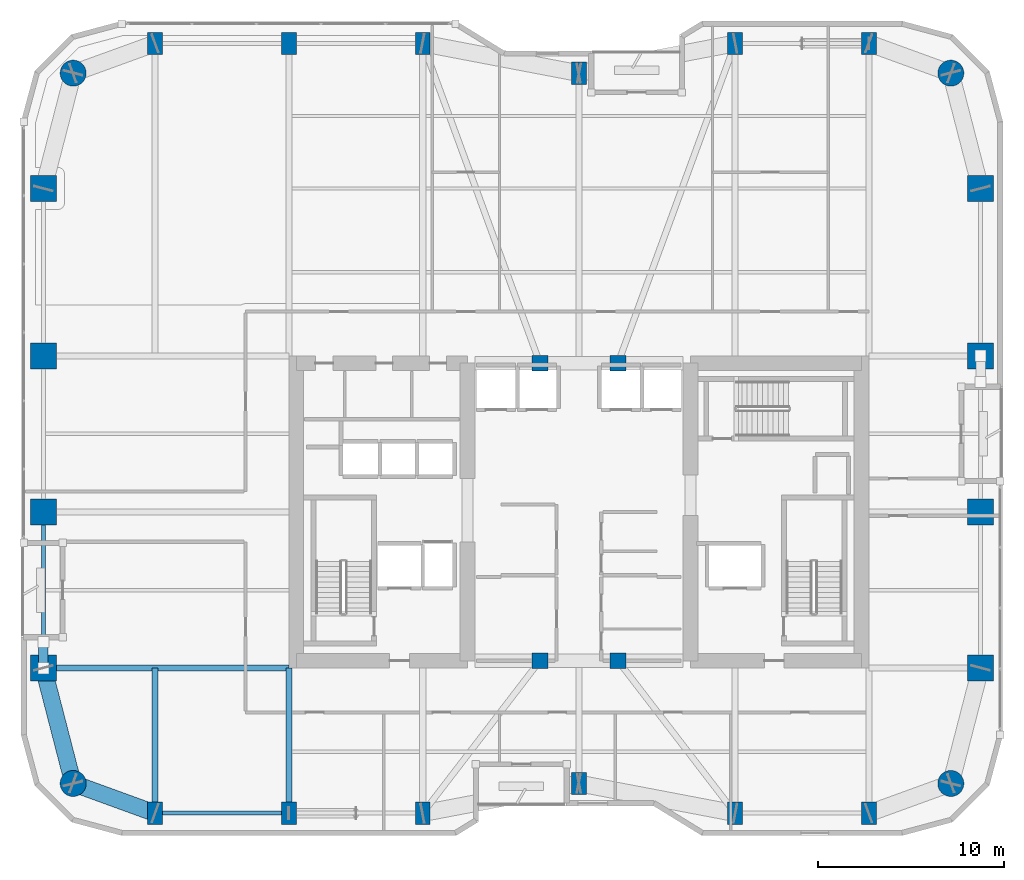
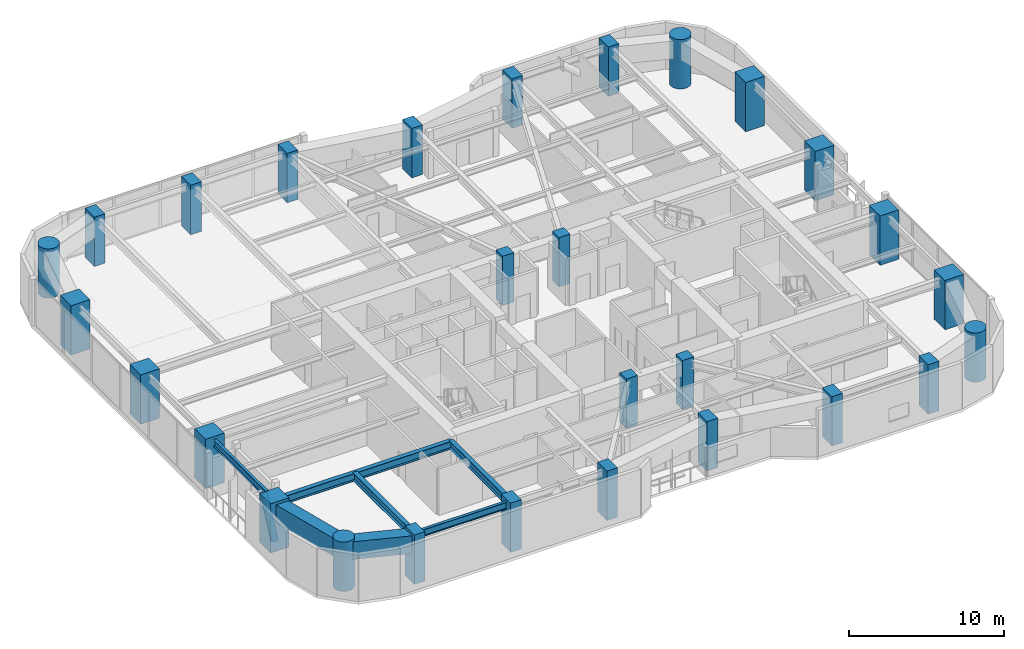
# One storey, part 1 of 30: 28 columns, 7 beams, 1 member.
"""IFC4 building model written with IfcOpenShell, lengths in metres."""

from ifc_helpers import new_model, si_unit, direction, frame, origin, origin_2d, place, context, subcontext, project, spatial, rectangle, hollow_rectangle, circle, hollow_circle, i_section, extrude, material, material_profile, profile_set, type_object, element, save


model = new_model("IFC4")

# Units and contexts
model_context = context("Model", 3, precision=1e-05, world=origin(), true_north=direction((0.0, 1.0)))
body_context = subcontext(model_context, "Body", "Model", "MODEL_VIEW")
ifc_project = project(units=[si_unit("LENGTHUNIT", "METRE"), si_unit("AREAUNIT", "SQUARE_METRE"), si_unit("VOLUMEUNIT", "CUBIC_METRE"), si_unit("PLANEANGLEUNIT", "RADIAN"), si_unit("MASSUNIT", "GRAM", prefix="KILO")], contexts=[model_context])

# Site, building, storey
site_placement = place(None, origin())
site = spatial("IfcSite", under=ifc_project, at=site_placement, CompositionType="ELEMENT")
building_placement = place(site_placement, origin())
building = spatial("IfcBuilding", under=site, at=building_placement, Name="Kiyonajd Concourse Tower", CompositionType="ELEMENT")
storey_placement = place(building_placement, frame((0.0, 0.0, 154.5)))
storey = spatial("IfcBuildingStorey", under=building, at=storey_placement, Name="L39", CompositionType="ELEMENT", Elevation=154.5)

# Columns
ifc_material_1 = material(Name="Concrete C70/85", Category="concrete")
ifc_material_profile_1 = material_profile(ifc_material_1, rectangle(XDim=0.800048828125, YDim=1.199951171875, at=origin_2d()), Name="RC-1200x800")
ifc_profile_set_1 = profile_set([ifc_material_profile_1], Name="Concrete C70/85")
column_type_1 = type_object("IfcColumnType", Name="CL-BLADE-1200", PredefinedType="COLUMN", material=ifc_profile_set_1)
for number, where, z_axis, x_axis, name in (
    (1, (25.199951171875, 19.800048828125, 0.0), (0.0, 0.0, 1.0), (1.0, 0.0, 0.0), "L39 Perimeter Bundled Tube Column"),
    (2, (25.199951171875, 61.199951171875, 0.0), (0.0, 0.0, 1.0), (1.0, 0.0, 0.0), "L39 Perimeter Bundled Tube Column"),
    (3, (32.39990234375, 19.800048828125, 0.0), (0.0, 0.0, 1.0), (1.0, 0.0, 0.0), "L39 Perimeter Bundled Tube Column"),
    (4, (32.39990234375, 61.199951171875, 0.0), (0.0, 0.0, 1.0), (1.0, 0.0, 0.0), "L39 Perimeter Bundled Tube Column"),
    (5, (39.60009765625, 19.800048828125, 0.0), (0.0, 0.0, 1.0), (1.0, 0.0, 0.0), "L39 Perimeter Bundled Tube Column"),
    (6, (39.60009765625, 61.199951171875, 0.0), (0.0, 0.0, 1.0), (1.0, 0.0, 0.0), "L39 Perimeter Bundled Tube Column"),
    (7, (48.0, 21.39990234375, 0.0), (0.0, 0.0, 1.0), (1.0, 0.0, 0.0), "L39 Perimeter Bundled Tube Column"),
    (8, (48.0, 59.60009765625, 0.0), (0.0, 0.0, 1.0), (1.0, 0.0, 0.0), "L39 Perimeter Bundled Tube Column"),
    (9, (56.39990234375, 19.800048828125, 0.0), (0.0, 0.0, 1.0), (1.0, 0.0, 0.0), "L39 Perimeter Bundled Tube Column"),
    (10, (56.39990234375, 61.199951171875, 0.0), (0.0, 0.0, 1.0), (1.0, 0.0, 0.0), "L39 Perimeter Bundled Tube Column"),
    (11, (63.60009765625, 19.800048828125, 0.0), (0.0, 0.0, 1.0), (1.0, 0.0, 0.0), "L39 Perimeter Bundled Tube Column"),
    (12, (63.60009765625, 61.199951171875, 0.0), (0.0, 0.0, 1.0), (1.0, 0.0, 0.0), "L39 Perimeter Bundled Tube Column"),
):
    element("IfcColumn", number, at=place(storey_placement, frame(where, z_axis=z_axis, x_axis=x_axis)), inside=storey, type_object=column_type_1, Name=name, PredefinedType="COLUMN", context=body_context, shape_type="SweptSolid", body=[
        extrude(rectangle(XDim=0.800048828125, YDim=1.199951171875, at=origin_2d()), origin(), (0.0, 0.0, 1.0), 3.89990234375),
    ])
ifc_material_2 = material(Name="Concrete C80/95", Category="concrete")
ifc_material_profile_2 = material_profile(ifc_material_2, circle(Radius=0.699951171875, at=origin_2d()), Name="RCC-D1400")
ifc_profile_set_2 = profile_set([ifc_material_profile_2], Name="Concrete C80/95")
column_type_2 = type_object("IfcColumnType", Name="CL-RND-1400", PredefinedType="COLUMN", material=ifc_profile_set_2)
for number, where, z_axis, x_axis, name in (
    (13, (20.800048828125, 21.39990234375, 0.0), (0.0, 0.0, 1.0), (1.0, 0.0, 0.0), "L39 Bundled Tube Corner Column South West"),
    (14, (68.0, 21.39990234375, 0.0), (0.0, 0.0, 1.0), (1.0, 0.0, 0.0), "L39 Bundled Tube Corner Column South East"),
    (15, (68.0, 59.60009765625, 0.0), (0.0, 0.0, 1.0), (1.0, 0.0, 0.0), "L39 Bundled Tube Corner Column North East"),
    (16, (20.800048828125, 59.60009765625, 0.0), (0.0, 0.0, 1.0), (1.0, 0.0, 0.0), "L39 Bundled Tube Corner Column North West"),
):
    element("IfcColumn", number, at=place(storey_placement, frame(where, z_axis=z_axis, x_axis=x_axis)), inside=storey, type_object=column_type_2, Name=name, PredefinedType="COLUMN", context=body_context, shape_type="SweptSolid", body=[
        extrude(circle(Radius=0.699951171875, at=origin_2d()), origin(), (0.0, 0.0, 1.0), 3.89990234375),
    ])
ifc_material_profile_3 = material_profile(ifc_material_1, rectangle(XDim=1.39990234375, YDim=1.39990234375, at=origin_2d()), Name="RC-1400x1400")
ifc_profile_set_3 = profile_set([ifc_material_profile_3], Name="Concrete C70/85")
column_type_3 = type_object("IfcColumnType", Name="CL-TUBE-1400", PredefinedType="COLUMN", material=ifc_profile_set_3)
for number, where, z_axis, x_axis, name in (
    (17, (19.199951171875, 27.60009765625, 0.0), (0.0, 0.0, 1.0), (1.0, 0.0, 0.0), "L39 Perimeter Bundled Tube Column"),
    (18, (69.60009765625, 27.60009765625, 0.0), (0.0, 0.0, 1.0), (1.0, 0.0, 0.0), "L39 Perimeter Bundled Tube Column"),
    (19, (19.199951171875, 36.0, 0.0), (0.0, 0.0, 1.0), (1.0, 0.0, 0.0), "L39 Perimeter Bundled Tube Column"),
    (20, (69.60009765625, 36.0, 0.0), (0.0, 0.0, 1.0), (1.0, 0.0, 0.0), "L39 Perimeter Bundled Tube Column"),
    (21, (19.199951171875, 44.39990234375, 0.0), (0.0, 0.0, 1.0), (1.0, 0.0, 0.0), "L39 Perimeter Bundled Tube Column"),
    (22, (69.60009765625, 44.39990234375, 0.0), (0.0, 0.0, 1.0), (1.0, 0.0, 0.0), "L39 Perimeter Bundled Tube Column"),
    (23, (19.199951171875, 53.39990234375, 0.0), (0.0, 0.0, 1.0), (1.0, 0.0, 0.0), "L39 Perimeter Bundled Tube Column"),
    (24, (69.60009765625, 53.39990234375, 0.0), (0.0, 0.0, 1.0), (1.0, 0.0, 0.0), "L39 Perimeter Bundled Tube Column"),
):
    element("IfcColumn", number, at=place(storey_placement, frame(where, z_axis=z_axis, x_axis=x_axis)), inside=storey, type_object=column_type_3, Name=name, PredefinedType="COLUMN", context=body_context, shape_type="SweptSolid", body=[
        extrude(rectangle(XDim=1.39990234375, YDim=1.39990234375, at=origin_2d()), origin(), (0.0, 0.0, 1.0), 3.89990234375),
    ])
ifc_material_3 = material(Name="Concrete C60/75", Category="concrete")
ifc_material_profile_4 = material_profile(ifc_material_3, rectangle(XDim=0.85009765625, YDim=0.85009765625, at=origin_2d()), Name="RC-850x850")
ifc_profile_set_4 = profile_set([ifc_material_profile_4], Name="Concrete C60/75")
column_type_4 = type_object("IfcColumnType", Name="CL-TUBE-850", PredefinedType="COLUMN", material=ifc_profile_set_4)
for number, where, z_axis, x_axis, name in (
    (25, (45.89990234375, 28.0, 0.0), (0.0, 0.0, 1.0), (1.0, 0.0, 0.0), "L39 Core Tie Column South West"),
    (26, (50.10009765625, 28.0, 0.0), (0.0, 0.0, 1.0), (1.0, 0.0, 0.0), "L39 Core Tie Column South East"),
    (27, (45.89990234375, 44.0, 0.0), (0.0, 0.0, 1.0), (1.0, 0.0, 0.0), "L39 Core Tie Column North West"),
    (28, (50.10009765625, 44.0, 0.0), (0.0, 0.0, 1.0), (1.0, 0.0, 0.0), "L39 Core Tie Column North East"),
):
    element("IfcColumn", number, at=place(storey_placement, frame(where, z_axis=z_axis, x_axis=x_axis)), inside=storey, type_object=column_type_4, Name=name, PredefinedType="COLUMN", context=body_context, shape_type="SweptSolid", body=[
        extrude(rectangle(XDim=0.85009765625, YDim=0.85009765625, at=origin_2d()), origin(), (0.0, 0.0, 1.0), 3.89990234375),
    ])

# Beams
ifc_material_4 = material(Name="Steel ASTM A992 Grade 50", Category="steel")
ifc_material_profile_5 = material_profile(ifc_material_4, i_section(OverallWidth=0.214111328125, OverallDepth=0.549072265625, WebThickness=0.0146484375, FlangeThickness=0.023681640625, at=origin_2d()), Name="W530X138")
ifc_profile_set_5 = profile_set([ifc_material_profile_5], Name="Steel ASTM A992 Grade 50")
beam_type_1 = type_object("IfcBeamType", Name="BM-SPAN-530A", PredefinedType="SPANDREL", material=ifc_profile_set_5)
beam_1_placement = place(storey_placement, frame((25.199951171875, 19.800048828125, 3.405517578125), z_axis=(1.0, 0.0, 0.0), x_axis=(0.0, 1.0, 0.0)))
element("IfcBeam", 29, at=beam_1_placement, inside=storey, type_object=beam_type_1, Name="L39 Perimeter Bundled Tube Spandrel", PredefinedType="SPANDREL", context=body_context, shape_type="SweptSolid", body=[
    extrude(i_section(OverallWidth=0.214111328125, OverallDepth=0.549072265625, WebThickness=0.0146484375, FlangeThickness=0.023681640625, at=origin_2d()), origin(), (0.0, 0.0, 1.0), 7.199951171875),
])
beam_2_placement = place(storey_placement, frame((19.199951171875, 36.0, 3.405517578125), z_axis=(0.0, -1.0, 0.0), x_axis=(1.0, 0.0, 0.0)))
element("IfcBeam", 30, at=beam_2_placement, inside=storey, type_object=beam_type_1, Name="L39 Perimeter Bundled Tube Spandrel", PredefinedType="SPANDREL", context=body_context, shape_type="SweptSolid", body=[
    extrude(i_section(OverallWidth=0.214111328125, OverallDepth=0.549072265625, WebThickness=0.0146484375, FlangeThickness=0.023681640625, at=origin_2d()), origin(), (0.0, 0.0, 1.0), 8.39990234375),
])
ifc_material_profile_6 = material_profile(ifc_material_4, i_section(OverallWidth=0.326904296875, OverallDepth=0.6220703125, WebThickness=0.015380859375, FlangeThickness=0.0244140625, at=origin_2d()), Name="W610X195")
ifc_profile_set_6 = profile_set([ifc_material_profile_6], Name="Steel ASTM A992 Grade 50")
beam_type_2 = type_object("IfcBeamType", Name="BM-TWR-610A", PredefinedType="BEAM", material=ifc_profile_set_6)
for number, where, z_axis, x_axis, name in (
    (31, (25.199951171875, 19.800048828125, 3.368896484375), (0.0, 1.0, 0.0), (-1.0, 0.0, 0.0), "L39 South Lease Girder"),
    (32, (32.39990234375, 19.800048828125, 3.368896484375), (0.0, 1.0, 0.0), (-1.0, 0.0, 0.0), "L39 South Lease Girder"),
):
    element("IfcBeam", number, at=place(storey_placement, frame(where, z_axis=z_axis, x_axis=x_axis)), inside=storey, type_object=beam_type_2, Name=name, PredefinedType="BEAM", context=body_context, shape_type="SweptSolid", body=[
        extrude(i_section(OverallWidth=0.326904296875, OverallDepth=0.6220703125, WebThickness=0.015380859375, FlangeThickness=0.0244140625, at=origin_2d()), origin(), (0.0, 0.0, 1.0), 7.800048828125),
    ])
beam_3_placement = place(storey_placement, frame((19.199951171875, 27.60009765625, 3.368896484375), z_axis=(1.0, 0.0, 0.0), x_axis=(0.0, 1.0, 0.0)))
element("IfcBeam", 33, at=beam_3_placement, inside=storey, type_object=beam_type_2, Name="L39 West Lease Girder", PredefinedType="BEAM", context=body_context, shape_type="SweptSolid", body=[
    extrude(i_section(OverallWidth=0.326904296875, OverallDepth=0.6220703125, WebThickness=0.015380859375, FlangeThickness=0.0244140625, at=origin_2d()), origin(), (0.0, 0.0, 1.0), 13.199951171875),
])
ifc_material_5 = material(Name="Steel ASTM A572 Grade 50", Category="steel")
ifc_material_profile_7 = material_profile(ifc_material_5, hollow_rectangle(XDim=0.89990234375, YDim=1.39990234375, WallThickness=0.070068359375, at=origin_2d()), Name="BOX-1400x900x70")
ifc_profile_set_7 = profile_set([ifc_material_profile_7], Name="Steel ASTM A572 Grade 50")
beam_type_3 = type_object("IfcBeamType", Name="BM-XFER-1400", PredefinedType="BEAM", material=ifc_profile_set_7)
beam_4_placement = place(storey_placement, frame((19.199951171875, 27.60009765625, 2.97998046875), z_axis=(0.249884937687, -0.968275538221, 0.0), x_axis=(0.968275538221, 0.249884937687, 0.0)))
element("IfcBeam", 34, at=beam_4_placement, inside=storey, type_object=beam_type_3, Name="L39 Perimeter Bundled Tube Spandrel", PredefinedType="BEAM", context=body_context, shape_type="SweptSolid", body=[
    extrude(hollow_rectangle(XDim=0.89990234375, YDim=1.39990234375, WallThickness=0.070068359375, at=origin_2d()), origin(), (0.0, 0.0, 1.0), 6.4033203125),
])
beam_5_placement = place(storey_placement, frame((20.800048828125, 21.39990234375, 2.97998046875), z_axis=(0.939801036019, -0.341722127901, 0.0), x_axis=(0.341722127901, 0.939801036019, 0.0)))
element("IfcBeam", 35, at=beam_5_placement, inside=storey, type_object=beam_type_3, Name="L39 Perimeter Bundled Tube Spandrel", PredefinedType="BEAM", context=body_context, shape_type="SweptSolid", body=[
    extrude(hollow_rectangle(XDim=0.89990234375, YDim=1.39990234375, WallThickness=0.070068359375, at=origin_2d()), origin(), (0.0, 0.0, 1.0), 4.681640625),
])

# Member
ifc_material_6 = material(Name="Steel ASTM A500 Grade C", Category="steel")
ifc_material_profile_8 = material_profile(ifc_material_6, hollow_circle(Radius=0.25390625, WallThickness=0.02197265625, at=origin_2d()), Name="CHS-508x22")
ifc_profile_set_8 = profile_set([ifc_material_profile_8], Name="Steel ASTM A500 Grade C")
member_type = type_object("IfcMemberType", Name="MB-PB-MID", PredefinedType="BRACE", material=ifc_profile_set_8)
member_placement = place(storey_placement, frame((19.199951171875, 27.60009765625, 0.300048828125), z_axis=(0.0, 0.419410666774, 0.907796614114), x_axis=(-1.0, 0.0, 0.0)))
element("IfcMember", 36, at=member_placement, inside=storey, type_object=member_type, Name="L39 Upper Zone Hollow Tube Brace PBW", PredefinedType="BRACE", context=body_context, shape_type="SweptSolid", body=[
    extrude(hollow_circle(Radius=0.25390625, WallThickness=0.02197265625, at=origin_2d()), origin(), (0.0, 0.0, 1.0), 3.337890625),
])

save(model, "model.ifc")
